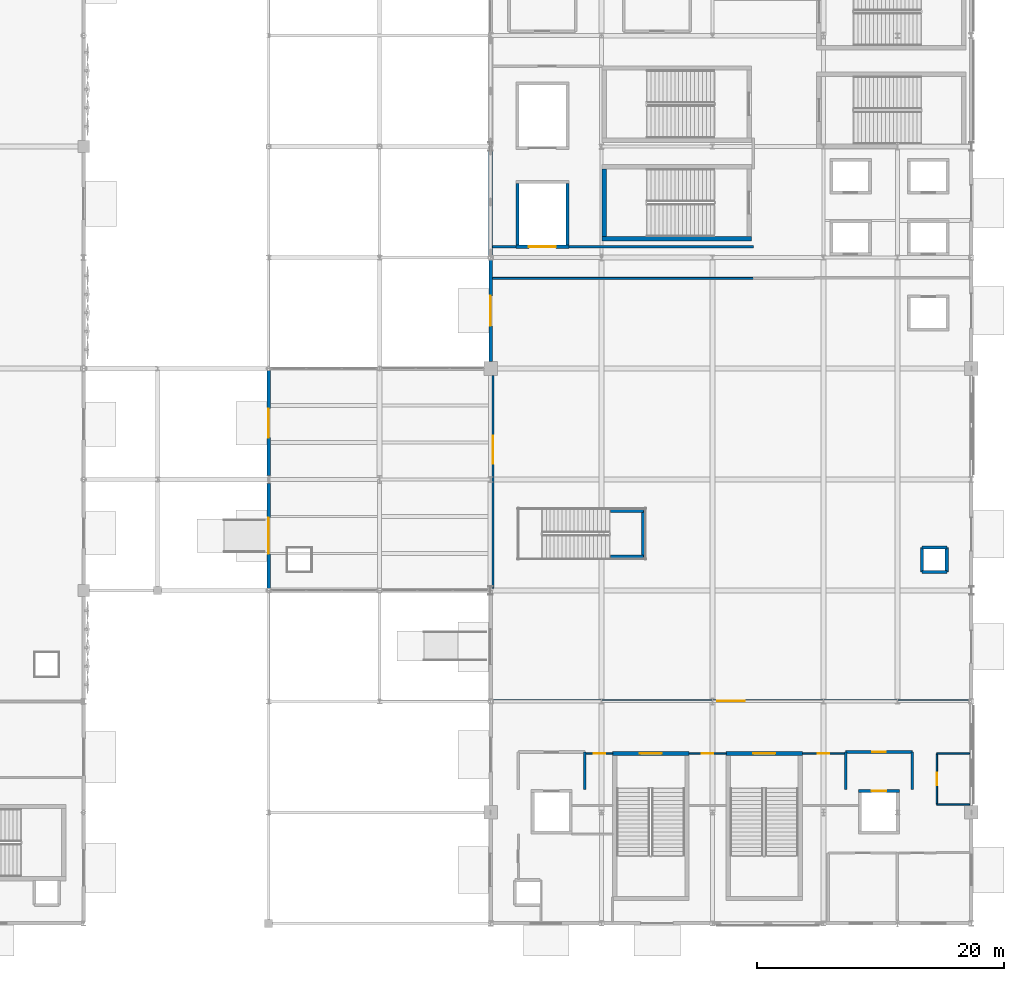
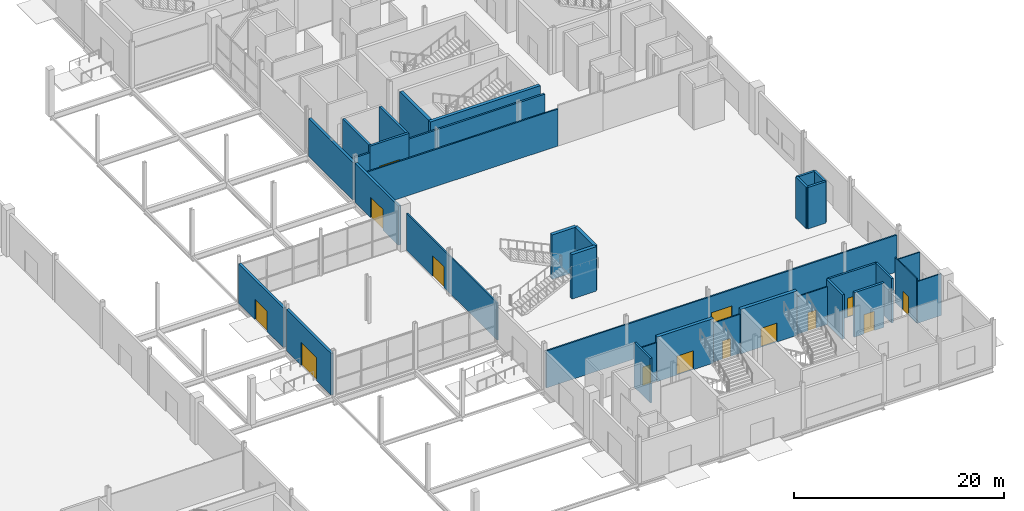
# One storey, part 59 of 94: 34 walls, 14 doors, 14 openings.
"""IFC4 building model written with IfcOpenShell, lengths in metres."""

import ifcopenshell
import ifcopenshell.guid

model = None  # the IFC model being written
_history = None  # IfcOwnerHistory: only IFC2X3 demands one
_inside = {}  # id of a spatial element -> (the spatial element, [elements in it])
_under = {}  # id of a project, library or spatial element -> (it, [spatial elements below it])
_declared = {}  # id of a project -> (the project, [libraries it declares])
_typed = {}  # id of a type object -> (the type object, [elements of that type])
_made_of = {}  # id of a material, layer set ... -> (it, [elements and type objects made of it])


def new_model(schema):
    """Start an empty IFC model of exactly this schema.

    Asked for "IFC4X3", IfcOpenShell would pick the latest addendum, in which some entities
    have other attributes; the version numbers below select the first issue.
    IFC2X3 requires an IfcOwnerHistory on every rooted entity: one is made here for all.
    """
    global model, _history
    if schema == "IFC4X3":
        model = ifcopenshell.file(schema_version=(4, 3, 0, 0))
    else:
        model = ifcopenshell.file(schema=schema)
    _inside.clear()
    _under.clear()
    _declared.clear()
    _typed.clear()
    _made_of.clear()
    _history = None
    if model.schema == "IFC2X3":
        org = make("IfcOrganization", Name="unknown")
        user = make(
            "IfcPersonAndOrganization",
            ThePerson=make("IfcPerson", FamilyName="unknown"),
            TheOrganization=org,
        )
        app = make(
            "IfcApplication",
            ApplicationDeveloper=org,
            Version="unknown",
            ApplicationFullName="unknown",
            ApplicationIdentifier="unknown",
        )
        _history = make(
            "IfcOwnerHistory",
            OwningUser=user,
            OwningApplication=app,
            ChangeAction="ADDED",
            CreationDate=0,
        )
    return model


def make(cls, **values):
    """One entity of the class cls with the attributes given. An attribute that is None is left unset."""
    return model.create_entity(
        cls, **{name: value for name, value in values.items() if value is not None}
    )


def rooted(cls, **values):
    """An entity with a GlobalId (a new one), such as an element, a storey or a relation."""
    return make(cls, GlobalId=ifcopenshell.guid.new(), OwnerHistory=_history, **values)


def si_unit(unit_type, name, prefix=None):
    """IfcSIUnit, for example si_unit("LENGTHUNIT", "METRE", prefix="MILLI")."""
    return make("IfcSIUnit", UnitType=unit_type, Prefix=prefix, Name=name)


def assignment(units):
    """IfcUnitAssignment: the units of a project."""
    return None if units is None else make("IfcUnitAssignment", Units=units)


def point(xyz):
    """IfcCartesianPoint."""
    return None if xyz is None else make("IfcCartesianPoint", Coordinates=xyz)


def direction(xyz):
    """IfcDirection."""
    return None if xyz is None else make("IfcDirection", DirectionRatios=xyz)


def frame(location, z_axis=None, x_axis=None):
    """IfcAxis2Placement3D, a coordinate frame: its origin and axes. An axis left out is left unset."""
    return make(
        "IfcAxis2Placement3D",
        Location=point(location),
        Axis=direction(z_axis),
        RefDirection=direction(x_axis),
    )


def frame_2d(location, x_axis=None):
    """IfcAxis2Placement2D, a coordinate frame in the plane: its origin and x axis."""
    return make(
        "IfcAxis2Placement2D", Location=point(location), RefDirection=direction(x_axis)
    )


def origin():
    """The frame at (0, 0, 0) with its axes left unset."""
    return frame((0.0, 0.0, 0.0))


def place(relative_to, where):
    """IfcLocalPlacement: puts the frame where relative to a parent placement (None: the world)."""
    return make(
        "IfcLocalPlacement", PlacementRelTo=relative_to, RelativePlacement=where
    )


def context(
    kind, dimensions, precision=None, world=None, true_north=None, identifier=None
):
    """IfcGeometricRepresentationContext, for example the 3D "Model" context."""
    return make(
        "IfcGeometricRepresentationContext",
        ContextIdentifier=identifier,
        ContextType=kind,
        CoordinateSpaceDimension=dimensions,
        Precision=precision,
        WorldCoordinateSystem=world,
        TrueNorth=true_north,
    )


def subcontext(parent, identifier, kind, view, scale=None):
    """IfcGeometricRepresentationSubContext, for example "Body" below "Model"."""
    return make(
        "IfcGeometricRepresentationSubContext",
        ContextIdentifier=identifier,
        ContextType=kind,
        ParentContext=parent,
        TargetScale=scale,
        TargetView=view,
    )


def project(units=None, contexts=None):
    """IfcProject with its units and contexts."""
    return rooted(
        "IfcProject",
        Name="project",
        RepresentationContexts=contexts,
        UnitsInContext=assignment(units),
    )


def spatial(cls, under=None, at=None, **own):
    """A site, building, storey or space (cls), placed at a placement, below another one or the project."""
    s = rooted(cls, ObjectPlacement=at, **own)
    if under is not None:
        _under.setdefault(under.id(), (under, []))[1].append(s)
    return s


def profile(cls, at=None, kind="AREA", **sizes):
    """A parametric profile (cls). Its sizes go by their IFC names, for example OverallWidth=200.0."""
    return make(cls, ProfileType=kind, Position=at, **sizes)


def rectangle(**sizes):
    """IfcRectangleProfileDef."""
    return profile("IfcRectangleProfileDef", **sizes)


def extrude(swept, where, along, depth):
    """IfcExtrudedAreaSolid: the profile swept, set in the frame where, extruded along a direction by depth."""
    return make(
        "IfcExtrudedAreaSolid",
        SweptArea=swept,
        Position=where,
        ExtrudedDirection=direction(along),
        Depth=depth,
    )


def shape(context_of_items, identifier, shape_type, items):
    """IfcShapeRepresentation: the items that make up one representation, for example the "Body"."""
    return make(
        "IfcShapeRepresentation",
        ContextOfItems=context_of_items,
        RepresentationIdentifier=identifier,
        RepresentationType=shape_type,
        Items=items,
    )


def material(Name=None, Category=None):
    """IfcMaterial."""
    return make("IfcMaterial", Name=Name, Category=Category)


def layer(
    of_material, thickness, ventilated=None, Name=None, Category=None, Priority=None
):
    """IfcMaterialLayer: one layer of a wall or slab, of a material (None: an air gap)."""
    return make(
        "IfcMaterialLayer",
        Material=of_material,
        LayerThickness=thickness,
        IsVentilated=ventilated,
        Name=Name,
        Category=Category,
        Priority=Priority,
    )


def layer_set(layers, Name=None):
    """IfcMaterialLayerSet."""
    return make("IfcMaterialLayerSet", MaterialLayers=layers, LayerSetName=Name)


def made_of(thing, what):
    """Note that an element or type object is made of a material, layer set ...; save() writes the relation."""
    if what is not None:
        _made_of.setdefault(what.id(), (what, []))[1].append(thing)
    return thing


def type_object(cls, material=None, **own):
    """A type object (cls), such as IfcWallType, which elements share."""
    return made_of(rooted(cls, **own), material)


def element(
    cls,
    number,
    at=None,
    inside=None,
    cuts=None,
    type_object=None,
    material=None,
    context=None,
    identifier="Body",
    shape_type=None,
    held_by="IfcProductDefinitionShape",
    body=None,
    shapes=None,
    **own,
):
    """One element of the class cls, such as IfcWall. Its Tag is "e" and its number.

    at: its placement. inside: the storey or other place that contains it. cuts: it is an
    opening in that element (IfcRelVoidsElement). A single representation is given by context,
    identifier, shape_type and body (its items); several are given by shapes. held_by: the class
    of the entity that holds the representations. save() writes the other relations.
    """
    e = rooted(cls, Tag="e%d" % number, ObjectPlacement=at, **own)
    if body is not None:
        shapes = [shape(context, identifier, shape_type, body)]
    if shapes is not None:
        e.Representation = make(held_by, Representations=shapes)
    if inside is not None:
        _inside.setdefault(inside.id(), (inside, []))[1].append(e)
    if cuts is not None:
        rooted(
            "IfcRelVoidsElement", RelatingBuildingElement=cuts, RelatedOpeningElement=e
        )
    if type_object is not None:
        _typed.setdefault(type_object.id(), (type_object, []))[1].append(e)
    return made_of(e, material)


def fill(opening, filler):
    """IfcRelFillsElement: the door or window that sits in an opening."""
    return rooted(
        "IfcRelFillsElement",
        RelatingOpeningElement=opening,
        RelatedBuildingElement=filler,
    )


def aggregate(whole, parts):
    """IfcRelAggregates: a whole, such as a stair, and the parts it consists of."""
    return rooted("IfcRelAggregates", RelatingObject=whole, RelatedObjects=parts)


def save(model, path):
    """Write the relations noted so far, then the file.

    IfcRelAggregates (storeys below a building ...), IfcRelContainedInSpatialStructure (elements
    in a storey), IfcRelDefinesByType, IfcRelAssociatesMaterial and IfcRelDeclares: one each for
    every whole, place, type object, material and project.
    """
    for whole, parts in _under.values():
        aggregate(whole, parts)
    for where, things in _inside.values():
        rooted(
            "IfcRelContainedInSpatialStructure",
            RelatedElements=things,
            RelatingStructure=where,
        )
    for kind, things in _typed.values():
        rooted("IfcRelDefinesByType", RelatedObjects=things, RelatingType=kind)
    for what, things in _made_of.values():
        rooted("IfcRelAssociatesMaterial", RelatedObjects=things, RelatingMaterial=what)
    for by, libraries in _declared.values():
        rooted("IfcRelDeclares", RelatingContext=by, RelatedDefinitions=libraries)
    model.write(path)


model = new_model("IFC4")

# Units and contexts
model_context = context("Model", 3, precision=1e-05, world=origin(), true_north=direction((0.0, 1.0)))
body_context = subcontext(model_context, "Body", "Model", "MODEL_VIEW")
ifc_project = project(units=[si_unit("LENGTHUNIT", "METRE"), si_unit("AREAUNIT", "SQUARE_METRE"), si_unit("VOLUMEUNIT", "CUBIC_METRE"), si_unit("PLANEANGLEUNIT", "RADIAN"), si_unit("MASSUNIT", "GRAM", prefix="KILO")], contexts=[model_context])

# Site, building, storey
site_placement = place(None, origin())
site = spatial("IfcSite", under=ifc_project, at=site_placement, CompositionType="ELEMENT")
building_placement = place(site_placement, origin())
building = spatial("IfcBuilding", under=site, at=building_placement, Name="Qamarlyn Nura Convention Centre", CompositionType="ELEMENT")
storey_placement = place(building_placement, origin())
storey = spatial("IfcBuildingStorey", under=building, at=storey_placement, Name="L00", CompositionType="ELEMENT", Elevation=0.0)

# Wall
ifc_material_1 = material(Name="Fire-rated acoustic gypsum board and mineral wool EI 120")
ifc_layer_1 = layer(ifc_material_1, 0.219970703125, Name="WT-COMP-220")
ifc_layer_set_1 = layer_set([ifc_layer_1], Name="Fire-rated acoustic gypsum board and mineral wool EI 120")
wall_type_1 = type_object("IfcWallType", Name="WT-COMP-220", PredefinedType="SOLIDWALL", material=ifc_layer_set_1)
wall_1_placement = place(storey_placement, frame((160.64990234375, 10.85009765625, 0.0), z_axis=(0.0, 0.0, 1.0), x_axis=(0.0, 1.0, 0.0)))
element("IfcWall", 1, at=wall_1_placement, inside=storey, type_object=wall_type_1, Name="L00 firefighting lobby barrier wall FFL-01-E", PredefinedType="SOLIDWALL", context=body_context, shape_type="SweptSolid", body=[
    extrude(rectangle(XDim=3.0498046875, YDim=0.219970703125, at=frame_2d((1.52490234375, 0.0))), origin(), (0.0, 0.0, 1.0), 5.179931640625),
])

# Wall, opening, door
wall_2_placement = place(storey_placement, frame((181.800048828125, 13.89990234375, 0.0), z_axis=(0.0, 0.0, 1.0), x_axis=(1.0, 0.0, 0.0)))
wall_2 = element("IfcWall", 2, at=wall_2_placement, inside=storey, type_object=wall_type_1, Name="L00 firefighting lobby barrier wall FFL-02-OPP", PredefinedType="SOLIDWALL", context=body_context, shape_type="SweptSolid", body=[
    extrude(rectangle(XDim=5.39990234375, YDim=0.219970703125, at=frame_2d((2.699951171875, 0.0))), origin(), (0.0, 0.0, 1.0), 5.179931640625),
])
opening_1_placement = place(wall_2_placement, frame((2.139892578125, 0.0, 0.0)))
opening_1 = element("IfcOpeningElement", 3, at=opening_1_placement, cuts=wall_2, Name="Opening DF-111", PredefinedType="OPENING", context=body_context, shape_type="SweptSolid", body=[
    extrude(rectangle(XDim=1.1201171875, YDim=2.199951171875, at=frame_2d((0.56005859375, 1.10009765625))), frame((0.0, 0.1201171875, 0.0), z_axis=(0.0, -1.0, 0.0), x_axis=(1.0, 0.0, 0.0)), (0.0, 0.0, 1.0), 0.239990234375),
])
ifc_material_2 = material(Name="Galvanised fire-rated hollow steel door", Category="steel")
door_type_1 = type_object("IfcDoorType", Name="DR-FFL-1120", OperationType="NOTDEFINED", PredefinedType="DOOR", material=ifc_material_2)
door_1_placement = place(opening_1_placement, origin())
door_1 = element("IfcDoor", 4, at=door_1_placement, inside=storey, type_object=door_type_1, Name="L00 firefighting lobby door FFL-02 (DF-111)", OperationType="SINGLE_SWING_LEFT", OverallHeight=2.199951171875, OverallWidth=1.1201171875, PredefinedType="DOOR", context=body_context, shape_type="SweptSolid", body=[
    extrude(rectangle(XDim=1.1201171875, YDim=2.199951171875, at=frame_2d((0.56005859375, 1.10009765625))), frame((0.0, 0.02490234375, 0.0), z_axis=(0.0, -1.0, 0.0), x_axis=(1.0, 0.0, 0.0)), (0.0, 0.0, 1.0), 0.050048828125),
])
fill(opening_1, door_1)

# Walls
for number, where, z_axis, x_axis, name in (
    (5, (181.800048828125, 10.85009765625, 0.0), (0.0, 0.0, 1.0), (0.0, 1.0, 0.0), "L00 firefighting lobby barrier wall FFL-02-W"),
    (6, (187.199951171875, 10.85009765625, 0.0), (0.0, 0.0, 1.0), (0.0, 1.0, 0.0), "L00 firefighting lobby barrier wall FFL-02-E"),
):
    element("IfcWall", number, at=place(storey_placement, frame(where, z_axis=z_axis, x_axis=x_axis)), inside=storey, type_object=wall_type_1, Name=name, PredefinedType="SOLIDWALL", context=body_context, shape_type="SweptSolid", body=[
        extrude(rectangle(XDim=3.0498046875, YDim=0.219970703125, at=frame_2d((1.52490234375, 0.0))), origin(), (0.0, 0.0, 1.0), 5.179931640625),
    ])

# Wall, opening, door
ifc_material_3 = material(Name="Concrete C50/60", Category="concrete")
ifc_layer_2 = layer(ifc_material_3, 0.35009765625, Name="WT-CORE-350")
ifc_layer_set_2 = layer_set([ifc_layer_2], Name="Concrete C50/60")
wall_type_2 = type_object("IfcWallType", Name="WT-CORE-350", PredefinedType="SHEAR", material=ifc_layer_set_2)
wall_3_placement = place(storey_placement, frame((169.10009765625, 13.77490234375, 0.0), z_axis=(0.0, 0.0, 1.0), x_axis=(-1.0, 0.0, 0.0)))
wall_3 = element("IfcWall", 7, at=wall_3_placement, inside=storey, type_object=wall_type_2, Name="L00 stair core shear wall ST-09-N", PredefinedType="SHEAR", context=body_context, shape_type="SweptSolid", body=[
    extrude(rectangle(XDim=6.2001953125, YDim=0.35009765625, at=frame_2d((3.10009765625, 0.0))), origin(), (0.0, 0.0, 1.0), 5.179931640625),
])
opening_2_placement = place(wall_3_placement, frame((2.199951171875, 0.0, 0.0)))
opening_2 = element("IfcOpeningElement", 8, at=opening_2_placement, cuts=wall_3, Name="Opening DS-030", PredefinedType="OPENING", context=body_context, shape_type="SweptSolid", body=[
    extrude(rectangle(XDim=1.800048828125, YDim=2.199951171875, at=frame_2d((0.89990234375, 1.10009765625))), frame((0.0, 0.18505859375, 0.0), z_axis=(0.0, -1.0, 0.0), x_axis=(1.0, 0.0, 0.0)), (0.0, 0.0, 1.0), 0.3701171875),
])
door_type_2 = type_object("IfcDoorType", Name="DR-STAIR-1800", OperationType="DOUBLE_DOOR_SINGLE_SWING", PredefinedType="DOOR", material=ifc_material_2)
door_2_placement = place(opening_2_placement, origin())
door_2 = element("IfcDoor", 9, at=door_2_placement, inside=storey, type_object=door_type_2, Name="L00 exit stair door ST-09 (DS-030)", OperationType="DOUBLE_DOOR_SINGLE_SWING", OverallHeight=2.199951171875, OverallWidth=1.800048828125, PredefinedType="DOOR", context=body_context, shape_type="SweptSolid", body=[
    extrude(rectangle(XDim=1.800048828125, YDim=2.199951171875, at=frame_2d((0.89990234375, 1.10009765625))), frame((0.0, 0.02490234375, 0.0), z_axis=(0.0, -1.0, 0.0), x_axis=(1.0, 0.0, 0.0)), (0.0, 0.0, 1.0), 0.050048828125),
])
fill(opening_2, door_2)

wall_4_placement = place(storey_placement, frame((178.300048828125, 13.77490234375, 0.0), z_axis=(0.0, 0.0, 1.0), x_axis=(-1.0, 0.0, 0.0)))
wall_4 = element("IfcWall", 10, at=wall_4_placement, inside=storey, type_object=wall_type_2, Name="L00 stair core shear wall ST-10-N", PredefinedType="SHEAR", context=body_context, shape_type="SweptSolid", body=[
    extrude(rectangle(XDim=6.199951171875, YDim=0.35009765625, at=frame_2d((3.10009765625, 0.0))), origin(), (0.0, 0.0, 1.0), 5.179931640625),
])
opening_3_placement = place(wall_4_placement, frame((2.199951171875, 0.0, 0.0)))
opening_3 = element("IfcOpeningElement", 11, at=opening_3_placement, cuts=wall_4, Name="Opening DS-037", PredefinedType="OPENING", context=body_context, shape_type="SweptSolid", body=[
    extrude(rectangle(XDim=1.800048828125, YDim=2.199951171875, at=frame_2d((0.89990234375, 1.10009765625))), frame((0.0, 0.18505859375, 0.0), z_axis=(0.0, -1.0, 0.0), x_axis=(1.0, 0.0, 0.0)), (0.0, 0.0, 1.0), 0.3701171875),
])
door_3_placement = place(opening_3_placement, origin())
door_3 = element("IfcDoor", 12, at=door_3_placement, inside=storey, type_object=door_type_2, Name="L00 exit stair door ST-10 (DS-037)", OperationType="DOUBLE_DOOR_SINGLE_SWING", OverallHeight=2.199951171875, OverallWidth=1.800048828125, PredefinedType="DOOR", context=body_context, shape_type="SweptSolid", body=[
    extrude(rectangle(XDim=1.800048828125, YDim=2.199951171875, at=frame_2d((0.89990234375, 1.10009765625))), frame((0.0, 0.02490234375, 0.0), z_axis=(0.0, -1.0, 0.0), x_axis=(1.0, 0.0, 0.0)), (0.0, 0.0, 1.0), 0.050048828125),
])
fill(opening_3, door_3)

# Walls
wall_5_placement = place(storey_placement, frame((162.050048828125, 55.52490234375, 0.0), z_axis=(0.0, 0.0, 1.0), x_axis=(1.0, 0.0, 0.0)))
element("IfcWall", 13, at=wall_5_placement, inside=storey, type_object=wall_type_2, Name="L00 stair core shear wall ST-11-S", PredefinedType="SHEAR", context=body_context, shape_type="SweptSolid", body=[
    extrude(rectangle(XDim=12.099853515625, YDim=0.35009765625, at=frame_2d((6.0498046875, 0.0))), origin(), (0.0, 0.0, 1.0), 5.179931640625),
])
wall_6_placement = place(storey_placement, frame((162.22509765625, 61.199951171875, 0.0), z_axis=(0.0, 0.0, 1.0), x_axis=(0.0, -1.0, 0.0)))
element("IfcWall", 14, at=wall_6_placement, inside=storey, type_object=wall_type_2, Name="L00 stair core shear wall ST-11-W", PredefinedType="SHEAR", context=body_context, shape_type="SweptSolid", body=[
    extrude(rectangle(XDim=5.5, YDim=0.35009765625, at=frame_2d((2.75, 0.0))), origin(), (0.0, 0.0, 1.0), 5.179931640625),
])
for number, where, z_axis, x_axis, name in (
    (15, (162.719970703125, 29.699951171875, 0.0), (0.0, 0.0, 1.0), (1.0, 0.0, 0.0), "L00 feature stair support fin wall ST-20-1"),
    (16, (162.719970703125, 33.47998046875, 0.0), (0.0, 0.0, 1.0), (1.0, 0.0, 0.0), "L00 feature stair support fin wall ST-20-2"),
):
    element("IfcWall", number, at=place(storey_placement, frame(where, z_axis=z_axis, x_axis=x_axis)), inside=storey, type_object=wall_type_2, Name=name, PredefinedType="SHEAR", context=body_context, shape_type="SweptSolid", body=[
        extrude(rectangle(XDim=2.699951171875, YDim=0.35009765625, at=frame_2d((1.35009765625, 0.0))), origin(), (0.0, 0.0, 1.0), 5.179931640625),
    ])
wall_7_placement = place(storey_placement, frame((165.419921875, 29.699951171875, 0.0), z_axis=(0.0, 0.0, 1.0), x_axis=(0.0, 1.0, 0.0)))
element("IfcWall", 17, at=wall_7_placement, inside=storey, type_object=wall_type_2, Name="L00 feature stair support fin wall ST-20-3", PredefinedType="SHEAR", context=body_context, shape_type="SweptSolid", body=[
    extrude(rectangle(XDim=3.780029296875, YDim=0.35009765625, at=frame_2d((1.89013671875, 0.0))), origin(), (0.0, 0.0, 1.0), 5.179931640625),
])

# Wall, opening, door
ifc_material_4 = material(Name="Concrete C40/50", Category="concrete")
ifc_layer_3 = layer(ifc_material_4, 0.280029296875, Name="WT-EXT-280")
ifc_layer_set_3 = layer_set([ifc_layer_3], Name="Concrete C40/50")
wall_type_3 = type_object("IfcWallType", Name="WT-EXT-280", PredefinedType="SOLIDWALL", material=ifc_layer_set_3)
wall_8_placement = place(storey_placement, frame((135.0, 27.175048828125, 0.0), z_axis=(0.0, 0.0, 1.0), x_axis=(0.0, 1.0, 0.0)))
wall_8 = element("IfcWall", 18, at=wall_8_placement, inside=storey, type_object=wall_type_3, Name="L00 exterior facade wall WEXT-L00-1350-272-1350-357", PredefinedType="SOLIDWALL", context=body_context, shape_type="SweptSolid", body=[
    extrude(rectangle(XDim=8.51953125, YDim=0.280029296875, at=frame_2d((4.259765625, 0.0))), origin(), (0.0, 0.0, 1.0), 4.844970703125),
])
opening_4_placement = place(wall_8_placement, frame((2.78466796875, 0.0, 0.0)))
opening_4 = element("IfcOpeningElement", 19, at=opening_4_placement, cuts=wall_8, Name="Opening E-48", PredefinedType="OPENING", context=body_context, shape_type="SweptSolid", body=[
    extrude(rectangle(XDim=2.949951171875, YDim=2.679931640625, at=frame_2d((1.47509765625, 1.33984375))), frame((0.0, 0.14990234375, 0.0), z_axis=(0.0, -1.0, 0.0), x_axis=(1.0, 0.0, 0.0)), (0.0, 0.0, 1.0), 0.300048828125),
])
ifc_material_5 = material(Name="Champagne-anodised marine aluminium", Category="aluminium")
door_type_3 = type_object("IfcDoorType", Name="DR-MAIN-2950", OperationType="DOUBLE_DOOR_SINGLE_SWING", PredefinedType="DOOR", material=ifc_material_5)
door_4_placement = place(opening_4_placement, origin())
door_4 = element("IfcDoor", 20, at=door_4_placement, inside=storey, type_object=door_type_3, Name="Final exit E-48", OperationType="DOUBLE_DOOR_SINGLE_SWING", OverallHeight=2.679931640625, OverallWidth=2.949951171875, PredefinedType="DOOR", context=body_context, shape_type="SweptSolid", body=[
    extrude(rectangle(XDim=2.949951171875, YDim=2.679931640625, at=frame_2d((1.47509765625, 1.33984375))), frame((0.0, 0.02490234375, 0.0), z_axis=(0.0, -1.0, 0.0), x_axis=(1.0, 0.0, 0.0)), (0.0, 0.0, 1.0), 0.050048828125),
])
fill(opening_4, door_4)

wall_9_placement = place(storey_placement, frame((135.0, 36.305419921875, 0.0), z_axis=(0.0, 0.0, 1.0), x_axis=(0.0, 1.0, 0.0)))
wall_9 = element("IfcWall", 21, at=wall_9_placement, inside=storey, type_object=wall_type_3, Name="L00 exterior facade wall WEXT-L00-1350-363-1350-448", PredefinedType="SOLIDWALL", context=body_context, shape_type="SweptSolid", body=[
    extrude(rectangle(XDim=8.516845703125, YDim=0.280029296875, at=frame_2d((4.25830078125, 0.0))), origin(), (0.0, 0.0, 1.0), 4.60595703125),
])
opening_5_placement = place(wall_9_placement, frame((3.083251953125, 0.0, 0.0)))
opening_5 = element("IfcOpeningElement", 22, at=opening_5_placement, cuts=wall_9, Name="Opening E-49", PredefinedType="OPENING", context=body_context, shape_type="SweptSolid", body=[
    extrude(rectangle(XDim=2.35009765625, YDim=2.3798828125, at=frame_2d((1.175048828125, 1.18994140625))), frame((0.0, 0.14990234375, 0.0), z_axis=(0.0, -1.0, 0.0), x_axis=(1.0, 0.0, 0.0)), (0.0, 0.0, 1.0), 0.300048828125),
])
door_type_4 = type_object("IfcDoorType", Name="DR-EXIT-2350", OperationType="DOUBLE_DOOR_SINGLE_SWING", PredefinedType="DOOR", material=ifc_material_5)
door_5_placement = place(opening_5_placement, origin())
door_5 = element("IfcDoor", 23, at=door_5_placement, inside=storey, type_object=door_type_4, Name="Final exit E-49", OperationType="DOUBLE_DOOR_SINGLE_SWING", OverallHeight=2.3798828125, OverallWidth=2.35009765625, PredefinedType="DOOR", context=body_context, shape_type="SweptSolid", body=[
    extrude(rectangle(XDim=2.35009765625, YDim=2.3798828125, at=frame_2d((1.175048828125, 1.18994140625))), frame((0.0, 0.02490234375, 0.0), z_axis=(0.0, -1.0, 0.0), x_axis=(1.0, 0.0, 0.0)), (0.0, 0.0, 1.0), 0.050048828125),
])
fill(opening_5, door_5)

wall_10_placement = place(storey_placement, frame((153.0, 45.550048828125, 0.0), z_axis=(0.0, 0.0, 1.0), x_axis=(0.0, 1.0, 0.0)))
wall_10 = element("IfcWall", 24, at=wall_10_placement, inside=storey, type_object=wall_type_3, Name="L00 exterior facade wall WEXT-L00-1530-456-1530-538", PredefinedType="SOLIDWALL", context=body_context, shape_type="SweptSolid", body=[
    extrude(rectangle(XDim=8.25, YDim=0.280029296875, at=frame_2d((4.125, 0.0))), origin(), (0.0, 0.0, 1.0), 4.553955078125),
])
opening_6_placement = place(wall_10_placement, frame((2.9150390625, 0.0, 0.0)))
opening_6 = element("IfcOpeningElement", 25, at=opening_6_placement, cuts=wall_10, Name="Opening E-50", PredefinedType="OPENING", context=body_context, shape_type="SweptSolid", body=[
    extrude(rectangle(XDim=2.419921875, YDim=2.39990234375, at=frame_2d((1.2099609375, 1.199951171875))), frame((0.0, 0.14990234375, 0.0), z_axis=(0.0, -1.0, 0.0), x_axis=(1.0, 0.0, 0.0)), (0.0, 0.0, 1.0), 0.300048828125),
])
door_type_5 = type_object("IfcDoorType", Name="DR-EXIT-2420", OperationType="DOUBLE_DOOR_SINGLE_SWING", PredefinedType="DOOR", material=ifc_material_5)
door_6_placement = place(opening_6_placement, origin())
door_6 = element("IfcDoor", 26, at=door_6_placement, inside=storey, type_object=door_type_5, Name="Final exit E-50", OperationType="DOUBLE_DOOR_SINGLE_SWING", OverallHeight=2.39990234375, OverallWidth=2.419921875, PredefinedType="DOOR", context=body_context, shape_type="SweptSolid", body=[
    extrude(rectangle(XDim=2.419921875, YDim=2.39990234375, at=frame_2d((1.2099609375, 1.199951171875))), frame((0.0, 0.02490234375, 0.0), z_axis=(0.0, -1.0, 0.0), x_axis=(1.0, 0.0, 0.0)), (0.0, 0.0, 1.0), 0.050048828125),
])
fill(opening_6, door_6)

# Wall
ifc_material_6 = material(Name="Concrete C40/50 with UAE coastal limestone stone facing", Category="masonry")
ifc_layer_4 = layer(ifc_material_6, 0.300048828125, Name="WT-LIME-300")
ifc_layer_set_4 = layer_set([ifc_layer_4], Name="Concrete C40/50 with UAE coastal limestone stone facing")
wall_type_4 = type_object("IfcWallType", Name="WT-LIME-300", PredefinedType="SOLIDWALL", material=ifc_layer_set_4)
wall_11_placement = place(storey_placement, frame((153.0, 54.199951171875, 0.0), z_axis=(0.0, 0.0, 1.0), x_axis=(0.0, 1.0, 0.0)))
element("IfcWall", 27, at=wall_11_placement, inside=storey, type_object=wall_type_4, Name="L00 exterior facade wall WEXT-L00-1530-542-1530-627", PredefinedType="SOLIDWALL", context=body_context, shape_type="SweptSolid", body=[
    extrude(rectangle(XDim=8.45263671875, YDim=0.300048828125, at=frame_2d((4.226318359375, 0.0))), origin(), (0.0, 0.0, 1.0), 4.39208984375),
])

# Wall, opening, door
ifc_material_7 = material(Name="Acoustic double-stud gypsum partition")
ifc_layer_5 = layer(ifc_material_7, 0.1201171875, Name="WT-PART-120")
ifc_layer_set_5 = layer_set([ifc_layer_5], Name="Acoustic double-stud gypsum partition")
wall_type_5 = type_object("IfcWallType", Name="WT-PART-120", PredefinedType="PARTITIONING", material=ifc_layer_set_5)
wall_12_placement = place(storey_placement, frame((160.760009765625, 13.77490234375, 0.0), z_axis=(0.0, 0.0, 1.0), x_axis=(1.0, 0.0, 0.0)))
wall_12 = element("IfcWall", 28, at=wall_12_placement, inside=storey, type_object=wall_type_5, Name="L00 interior partition L00-WC-M-L00-18-1", PredefinedType="PARTITIONING", context=body_context, shape_type="SweptSolid", body=[
    extrude(rectangle(XDim=2.139892578125, YDim=0.1201171875, at=frame_2d((1.06982421875, 0.0))), origin(), (0.0, 0.0, 1.0), 4.469970703125),
])
opening_7_placement = place(wall_12_placement, frame((0.610107421875, 0.0, 0.0)))
opening_7 = element("IfcOpeningElement", 29, at=opening_7_placement, cuts=wall_12, Name="Opening D-L00-140", PredefinedType="OPENING", context=body_context, shape_type="SweptSolid", body=[
    extrude(rectangle(XDim=0.919921875, YDim=2.1201171875, at=frame_2d((0.4599609375, 1.06005859375))), frame((0.0, 0.070068359375, 0.0), z_axis=(0.0, -1.0, 0.0), x_axis=(1.0, 0.0, 0.0)), (0.0, 0.0, 1.0), 0.14013671875),
])
ifc_material_8 = material(Name="Acoustic walnut timber leaf", Category="wood")
door_type_6 = type_object("IfcDoorType", Name="DR-WC-STD-092", OperationType="NOTDEFINED", PredefinedType="DOOR", material=ifc_material_8)
door_7_placement = place(opening_7_placement, origin())
door_7 = element("IfcDoor", 30, at=door_7_placement, inside=storey, type_object=door_type_6, Name="L00 Male WC L00 door D-L00-140", OperationType="SINGLE_SWING_RIGHT", OverallHeight=2.1201171875, OverallWidth=0.919921875, PredefinedType="DOOR", context=body_context, shape_type="SweptSolid", body=[
    extrude(rectangle(XDim=0.919921875, YDim=2.1201171875, at=frame_2d((0.4599609375, 1.06005859375))), frame((0.0, 0.02490234375, 0.0), z_axis=(0.0, -1.0, 0.0), x_axis=(1.0, 0.0, 0.0)), (0.0, 0.0, 1.0), 0.050048828125),
])
fill(opening_7, door_7)

wall_13_placement = place(storey_placement, frame((169.10009765625, 13.77490234375, 0.0), z_axis=(0.0, 0.0, 1.0), x_axis=(1.0, 0.0, 0.0)))
wall_13 = element("IfcWall", 31, at=wall_13_placement, inside=storey, type_object=wall_type_5, Name="L00 interior partition L00-WC-S-L00-1-1", PredefinedType="PARTITIONING", context=body_context, shape_type="SweptSolid", body=[
    extrude(rectangle(XDim=3.0, YDim=0.1201171875, at=frame_2d((1.5, 0.0))), origin(), (0.0, 0.0, 1.0), 4.553955078125),
])
opening_8_placement = place(wall_13_placement, frame((1.044921875, 0.0, 0.0)))
opening_8 = element("IfcOpeningElement", 32, at=opening_8_placement, cuts=wall_13, Name="Opening D-L00-141", PredefinedType="OPENING", context=body_context, shape_type="SweptSolid", body=[
    extrude(rectangle(XDim=0.909912109375, YDim=2.1201171875, at=frame_2d((0.455078125, 1.06005859375))), frame((0.0, 0.070068359375, 0.0), z_axis=(0.0, -1.0, 0.0), x_axis=(1.0, 0.0, 0.0)), (0.0, 0.0, 1.0), 0.14013671875),
])
door_type_7 = type_object("IfcDoorType", Name="DR-WC-STF-091", OperationType="NOTDEFINED", PredefinedType="DOOR", material=ifc_material_8)
door_8_placement = place(opening_8_placement, origin())
door_8 = element("IfcDoor", 33, at=door_8_placement, inside=storey, type_object=door_type_7, Name="L00 Staff WC L00 door D-L00-141", OperationType="SINGLE_SWING_LEFT", OverallHeight=2.1201171875, OverallWidth=0.909912109375, PredefinedType="DOOR", context=body_context, shape_type="SweptSolid", body=[
    extrude(rectangle(XDim=0.909912109375, YDim=2.1201171875, at=frame_2d((0.455078125, 1.06005859375))), frame((0.0, 0.02490234375, 0.0), z_axis=(0.0, -1.0, 0.0), x_axis=(1.0, 0.0, 0.0)), (0.0, 0.0, 1.0), 0.050048828125),
])
fill(opening_8, door_8)

wall_14_placement = place(storey_placement, frame((178.300048828125, 13.77490234375, 0.0), z_axis=(0.0, 0.0, 1.0), x_axis=(1.0, 0.0, 0.0)))
wall_14 = element("IfcWall", 34, at=wall_14_placement, inside=storey, type_object=wall_type_5, Name="L00 interior partition L00-WC-F-L00-1-1", PredefinedType="PARTITIONING", context=body_context, shape_type="SweptSolid", body=[
    extrude(rectangle(XDim=3.389892578125, YDim=0.1201171875, at=frame_2d((1.69482421875, 0.0))), origin(), (0.0, 0.0, 1.0), 4.39208984375),
])
opening_9_placement = place(wall_14_placement, frame((1.235107421875, 0.0, 0.0)))
opening_9 = element("IfcOpeningElement", 35, at=opening_9_placement, cuts=wall_14, Name="Opening D-L00-142", PredefinedType="OPENING", context=body_context, shape_type="SweptSolid", body=[
    extrude(rectangle(XDim=0.919921875, YDim=2.1201171875, at=frame_2d((0.4599609375, 1.06005859375))), frame((0.0, 0.070068359375, 0.0), z_axis=(0.0, -1.0, 0.0), x_axis=(1.0, 0.0, 0.0)), (0.0, 0.0, 1.0), 0.14013671875),
])
door_9_placement = place(opening_9_placement, origin())
door_9 = element("IfcDoor", 36, at=door_9_placement, inside=storey, type_object=door_type_6, Name="L00 Female WC L00 door D-L00-142", OperationType="SINGLE_SWING_RIGHT", OverallHeight=2.1201171875, OverallWidth=0.919921875, PredefinedType="DOOR", context=body_context, shape_type="SweptSolid", body=[
    extrude(rectangle(XDim=0.919921875, YDim=2.1201171875, at=frame_2d((0.4599609375, 1.06005859375))), frame((0.0, 0.02490234375, 0.0), z_axis=(0.0, -1.0, 0.0), x_axis=(1.0, 0.0, 0.0)), (0.0, 0.0, 1.0), 0.050048828125),
])
fill(opening_9, door_9)

# Walls
for number, where, z_axis, x_axis, name in (
    (37, (189.199951171875, 13.77490234375, 0.0), (0.0, 0.0, 1.0), (1.0, 0.0, 0.0), "L00 interior partition L00-WC-A-L00-1-1"),
    (38, (191.860107421875, 9.64990234375, 0.0), (0.0, 0.0, 1.0), (-1.0, 0.0, 0.0), "L00 interior partition L00-WC-A-L00-3-1"),
):
    element("IfcWall", number, at=place(storey_placement, frame(where, z_axis=z_axis, x_axis=x_axis)), inside=storey, type_object=wall_type_5, Name=name, PredefinedType="PARTITIONING", context=body_context, shape_type="SweptSolid", body=[
        extrude(rectangle(XDim=2.66015625, YDim=0.1201171875, at=frame_2d((1.330078125, 0.0))), origin(), (0.0, 0.0, 1.0), 4.864990234375),
    ])

# Wall, opening, door
wall_15_placement = place(storey_placement, frame((189.199951171875, 9.64990234375, 0.0), z_axis=(0.0, 0.0, 1.0), x_axis=(0.0, 1.0, 0.0)))
wall_15 = element("IfcWall", 39, at=wall_15_placement, inside=storey, type_object=wall_type_5, Name="L00 interior partition L00-WC-A-L00-4-1", PredefinedType="PARTITIONING", context=body_context, shape_type="SweptSolid", body=[
    extrude(rectangle(XDim=4.125, YDim=0.1201171875, at=frame_2d((2.0625, 0.0))), origin(), (0.0, 0.0, 1.0), 5.179931640625),
])
opening_10_placement = place(wall_15_placement, frame((1.552490234375, 0.0, 0.0)))
opening_10 = element("IfcOpeningElement", 40, at=opening_10_placement, cuts=wall_15, Name="Opening D-L00-143", PredefinedType="OPENING", context=body_context, shape_type="SweptSolid", body=[
    extrude(rectangle(XDim=1.02001953125, YDim=2.159912109375, at=frame_2d((0.510009765625, 1.080078125))), frame((0.0, 0.070068359375, 0.0), z_axis=(0.0, -1.0, 0.0), x_axis=(1.0, 0.0, 0.0)), (0.0, 0.0, 1.0), 0.14013671875),
])
door_type_8 = type_object("IfcDoorType", Name="DR-WC-ACC-102", OperationType="NOTDEFINED", PredefinedType="DOOR", material=ifc_material_8)
door_10_placement = place(opening_10_placement, origin())
door_10 = element("IfcDoor", 41, at=door_10_placement, inside=storey, type_object=door_type_8, Name="L00 Accessible WC L00 door D-L00-143", OperationType="SINGLE_SWING_LEFT", OverallHeight=2.159912109375, OverallWidth=1.02001953125, PredefinedType="DOOR", context=body_context, shape_type="SweptSolid", body=[
    extrude(rectangle(XDim=1.02001953125, YDim=2.159912109375, at=frame_2d((0.510009765625, 1.080078125))), frame((0.0, 0.02490234375, 0.0), z_axis=(0.0, -1.0, 0.0), x_axis=(1.0, 0.0, 0.0)), (0.0, 0.0, 1.0), 0.050048828125),
])
fill(opening_10, door_10)

ifc_material_9 = material(Name="Fire-rated acoustic gypsum board EI 60")
ifc_layer_6 = layer(ifc_material_9, 0.159912109375, Name="WT-PART-160")
ifc_layer_set_6 = layer_set([ifc_layer_6], Name="Fire-rated acoustic gypsum board EI 60")
wall_type_6 = type_object("IfcWallType", Name="WT-PART-160", PredefinedType="PARTITIONING", material=ifc_layer_set_6)
wall_16_placement = place(storey_placement, frame((153.199951171875, 44.43994140625, 0.0), z_axis=(0.0, 0.0, 1.0), x_axis=(0.0, -1.0, 0.0)))
wall_16 = element("IfcWall", 42, at=wall_16_placement, inside=storey, type_object=wall_type_6, Name="L00 interior partition L00-REG-WEST-2-1", PredefinedType="PARTITIONING", context=body_context, shape_type="SweptSolid", body=[
    extrude(rectangle(XDim=17.239990234375, YDim=0.159912109375, at=frame_2d((8.6201171875, 0.0))), origin(), (0.0, 0.0, 1.0), 4.31005859375),
])
opening_11_placement = place(wall_16_placement, frame((4.908935546875, 0.0, 0.0)))
opening_11 = element("IfcOpeningElement", 43, at=opening_11_placement, cuts=wall_16, Name="Opening D-L00-150", PredefinedType="OPENING", context=body_context, shape_type="SweptSolid", body=[
    extrude(rectangle(XDim=2.25, YDim=2.39990234375, at=frame_2d((1.125, 1.199951171875))), frame((0.0, 0.08984375, 0.0), z_axis=(0.0, -1.0, 0.0), x_axis=(1.0, 0.0, 0.0)), (0.0, 0.0, 1.0), 0.179931640625),
])
door_type_9 = type_object("IfcDoorType", Name="DR-HALL-2250", OperationType="DOUBLE_DOOR_SINGLE_SWING", PredefinedType="DOOR", material=ifc_material_8)
door_11_placement = place(opening_11_placement, origin())
door_11 = element("IfcDoor", 44, at=door_11_placement, inside=storey, type_object=door_type_9, Name="L00 West Registration Concourse door D-L00-150", OperationType="DOUBLE_DOOR_SINGLE_SWING", OverallHeight=2.39990234375, OverallWidth=2.25, PredefinedType="DOOR", context=body_context, shape_type="SweptSolid", body=[
    extrude(rectangle(XDim=2.25, YDim=2.39990234375, at=frame_2d((1.125, 1.199951171875))), frame((0.0, 0.02490234375, 0.0), z_axis=(0.0, -1.0, 0.0), x_axis=(1.0, 0.0, 0.0)), (0.0, 0.0, 1.0), 0.050048828125),
])
fill(opening_11, door_11)

# Wall
wall_17_placement = place(storey_placement, frame((153.139892578125, 52.31005859375, 0.0), z_axis=(0.0, 0.0, 1.0), x_axis=(1.0, 0.0, 0.0)))
element("IfcWall", 45, at=wall_17_placement, inside=storey, type_object=wall_type_6, Name="L00 interior partition L00-REG-CONC-35-1", PredefinedType="PARTITIONING", context=body_context, shape_type="SweptSolid", body=[
    extrude(rectangle(XDim=21.170166015625, YDim=0.159912109375, at=frame_2d((10.5849609375, 0.0))), origin(), (0.0, 0.0, 1.0), 4.31005859375),
])

# Wall, opening, door
wall_18_placement = place(storey_placement, frame((191.7900390625, 18.0400390625, 0.0), z_axis=(0.0, 0.0, 1.0), x_axis=(-1.0, 0.0, 0.0)))
wall_18 = element("IfcWall", 46, at=wall_18_placement, inside=storey, type_object=wall_type_6, Name="L00 interior partition L00-REG-CONC-67-1", PredefinedType="PARTITIONING", context=body_context, shape_type="SweptSolid", body=[
    extrude(rectangle(XDim=38.580078125, YDim=0.159912109375, at=frame_2d((19.2900390625, 0.0))), origin(), (0.0, 0.0, 1.0), 4.31005859375),
])
opening_12_placement = place(wall_18_placement, frame((18.1650390625, 0.0, 0.0)))
opening_12 = element("IfcOpeningElement", 47, at=opening_12_placement, cuts=wall_18, Name="Opening D-L00-154", PredefinedType="OPENING", context=body_context, shape_type="SweptSolid", body=[
    extrude(rectangle(XDim=2.25, YDim=2.39990234375, at=frame_2d((1.125, 1.199951171875))), frame((0.0, 0.08984375, 0.0), z_axis=(0.0, -1.0, 0.0), x_axis=(1.0, 0.0, 0.0)), (0.0, 0.0, 1.0), 0.179931640625),
])
door_12_placement = place(opening_12_placement, origin())
door_12 = element("IfcDoor", 48, at=door_12_placement, inside=storey, type_object=door_type_9, Name="L00 Registration Concourse door D-L00-154", OperationType="DOUBLE_DOOR_SINGLE_SWING", OverallHeight=2.39990234375, OverallWidth=2.25, PredefinedType="DOOR", context=body_context, shape_type="SweptSolid", body=[
    extrude(rectangle(XDim=2.25, YDim=2.39990234375, at=frame_2d((1.125, 1.199951171875))), frame((0.0, 0.02490234375, 0.0), z_axis=(0.0, -1.0, 0.0), x_axis=(1.0, 0.0, 0.0)), (0.0, 0.0, 1.0), 0.050048828125),
])
fill(opening_12, door_12)

# Walls
ifc_layer_7 = layer(ifc_material_9, 0.199951171875, Name="WT-PART-200")
ifc_layer_set_7 = layer_set([ifc_layer_7], Name="Fire-rated acoustic gypsum board EI 60")
wall_type_7 = type_object("IfcWallType", Name="WT-PART-200", PredefinedType="PARTITIONING", material=ifc_layer_set_7)
wall_19_placement = place(storey_placement, frame((174.31005859375, 54.889892578125, 0.0), z_axis=(0.0, 0.0, 1.0), x_axis=(-1.0, 0.0, 0.0)))
element("IfcWall", 49, at=wall_19_placement, inside=storey, type_object=wall_type_7, Name="L00 interior partition L00-KIT-CENT-61-1", PredefinedType="PARTITIONING", context=body_context, shape_type="SweptSolid", body=[
    extrude(rectangle(XDim=14.9599609375, YDim=0.199951171875, at=frame_2d((7.47998046875, 0.0))), origin(), (0.0, 0.0, 1.0), 4.48095703125),
])
wall_20_placement = place(storey_placement, frame((155.050048828125, 54.889892578125, 0.0), z_axis=(0.0, 0.0, 1.0), x_axis=(-1.0, 0.0, 0.0)))
element("IfcWall", 50, at=wall_20_placement, inside=storey, type_object=wall_type_7, Name="L00 interior partition L00-KIT-CENT-107-1", PredefinedType="PARTITIONING", context=body_context, shape_type="SweptSolid", body=[
    extrude(rectangle(XDim=1.900146484375, YDim=0.199951171875, at=frame_2d((0.9501953125, 0.0))), origin(), (0.0, 0.0, 1.0), 4.39208984375),
])

# Wall, opening, door
ifc_layer_8 = layer(ifc_material_1, 0.25, Name="WT-SHAFT-250")
ifc_layer_set_8 = layer_set([ifc_layer_8], Name="Fire-rated acoustic gypsum board and mineral wool EI 120")
wall_type_8 = type_object("IfcWallType", Name="WT-SHAFT-250", PredefinedType="SOLIDWALL", material=ifc_layer_set_8)
wall_21_placement = place(storey_placement, frame((186.14990234375, 10.72509765625, 0.0), z_axis=(0.0, 0.0, 1.0), x_axis=(-1.0, 0.0, 0.0)))
wall_21 = element("IfcWall", 51, at=wall_21_placement, inside=storey, type_object=wall_type_8, Name="L00 lift shaft enclosure wall FFL-02 +y", PredefinedType="SOLIDWALL", context=body_context, shape_type="SweptSolid", body=[
    extrude(rectangle(XDim=3.2998046875, YDim=0.25, at=frame_2d((1.64990234375, 0.0))), origin(), (0.0, 0.0, 1.0), 5.179931640625),
])
opening_13_placement = place(wall_21_placement, frame((1.050048828125, 0.0, 0.0)))
opening_13 = element("IfcOpeningElement", 52, at=opening_13_placement, cuts=wall_21, Name="Opening LD-FFL-02-L00", PredefinedType="OPENING", context=body_context, shape_type="SweptSolid", body=[
    extrude(rectangle(XDim=1.199951171875, YDim=2.25, at=frame_2d((0.60009765625, 1.125))), frame((0.0, 0.135009765625, 0.0), z_axis=(0.0, -1.0, 0.0), x_axis=(1.0, 0.0, 0.0)), (0.0, 0.0, 1.0), 0.27001953125),
])
ifc_material_10 = material(Name="Marine Grade 316 stainless steel", Category="steel")
door_type_10 = type_object("IfcDoorType", Name="DR-LD-FFL", OperationType="DOUBLE_DOOR_SLIDING", PredefinedType="DOOR", material=ifc_material_10)
door_13_placement = place(opening_13_placement, origin())
door_13 = element("IfcDoor", 53, at=door_13_placement, inside=storey, type_object=door_type_10, Name="Lift landing door LD-FFL-02-L00", OperationType="DOUBLE_DOOR_SLIDING", OverallHeight=2.25, OverallWidth=1.199951171875, PredefinedType="DOOR", context=body_context, shape_type="SweptSolid", body=[
    extrude(rectangle(XDim=1.199951171875, YDim=2.25, at=frame_2d((0.60009765625, 1.125))), frame((0.0, 0.02490234375, 0.0), z_axis=(0.0, -1.0, 0.0), x_axis=(1.0, 0.0, 0.0)), (0.0, 0.0, 1.0), 0.050048828125),
])
fill(opening_13, door_13)

wall_22_placement = place(storey_placement, frame((155.050048828125, 54.875, 0.0), z_axis=(0.0, 0.0, 1.0), x_axis=(1.0, 0.0, 0.0)))
wall_22 = element("IfcWall", 54, at=wall_22_placement, inside=storey, type_object=wall_type_8, Name="L00 lift shaft enclosure wall FL-03 -y", PredefinedType="SOLIDWALL", context=body_context, shape_type="SweptSolid", body=[
    extrude(rectangle(XDim=4.300048828125, YDim=0.25, at=frame_2d((2.14990234375, 0.0))), origin(), (0.0, 0.0, 1.0), 5.179931640625),
])
opening_14_placement = place(wall_22_placement, frame((1.050048828125, 0.0, 0.0)))
opening_14 = element("IfcOpeningElement", 55, at=opening_14_placement, cuts=wall_22, Name="Opening LD-FL-03-L00", PredefinedType="OPENING", context=body_context, shape_type="SweptSolid", body=[
    extrude(rectangle(XDim=2.199951171875, YDim=2.5, at=frame_2d((1.10009765625, 1.25))), frame((0.0, 0.135009765625, 0.0), z_axis=(0.0, -1.0, 0.0), x_axis=(1.0, 0.0, 0.0)), (0.0, 0.0, 1.0), 0.27001953125),
])
door_type_11 = type_object("IfcDoorType", Name="DR-LD-FRT", OperationType="DOUBLE_DOOR_SLIDING", PredefinedType="DOOR", material=ifc_material_2)
door_14_placement = place(opening_14_placement, origin())
door_14 = element("IfcDoor", 56, at=door_14_placement, inside=storey, type_object=door_type_11, Name="Lift landing door LD-FL-03-L00", OperationType="DOUBLE_DOOR_SLIDING", OverallHeight=2.5, OverallWidth=2.199951171875, PredefinedType="DOOR", context=body_context, shape_type="SweptSolid", body=[
    extrude(rectangle(XDim=2.199951171875, YDim=2.5, at=frame_2d((1.10009765625, 1.25))), frame((0.0, 0.02490234375, 0.0), z_axis=(0.0, -1.0, 0.0), x_axis=(1.0, 0.0, 0.0)), (0.0, 0.0, 1.0), 0.050048828125),
])
fill(opening_14, door_14)

# Walls
for number, where, z_axis, x_axis, name in (
    (57, (155.175048828125, 60.0, 0.0), (0.0, 0.0, 1.0), (0.0, -1.0, 0.0), "L00 lift shaft enclosure wall FL-03 -x"),
    (58, (159.22509765625, 55.0, 0.0), (0.0, 0.0, 1.0), (0.0, 1.0, 0.0), "L00 lift shaft enclosure wall FL-03 +x"),
):
    element("IfcWall", number, at=place(storey_placement, frame(where, z_axis=z_axis, x_axis=x_axis)), inside=storey, type_object=wall_type_8, Name=name, PredefinedType="SOLIDWALL", context=body_context, shape_type="SweptSolid", body=[
        extrude(rectangle(XDim=5.0, YDim=0.25, at=frame_2d((2.5, 0.0))), origin(), (0.0, 0.0, 1.0), 5.179931640625),
    ])
for number, where, z_axis, x_axis, name in (
    (59, (188.0, 28.5, 0.0), (0.0, 0.0, 1.0), (1.0, 0.0, 0.0), "L00 MEP riser shaft wall 13-S"),
    (60, (190.0, 30.5, 0.0), (0.0, 0.0, 1.0), (-1.0, 0.0, 0.0), "L00 MEP riser shaft wall 13-N"),
    (61, (188.0, 30.5, 0.0), (0.0, 0.0, 1.0), (0.0, -1.0, 0.0), "L00 MEP riser shaft wall 13-W"),
    (62, (190.0, 28.5, 0.0), (0.0, 0.0, 1.0), (0.0, 1.0, 0.0), "L00 MEP riser shaft wall 13-E"),
):
    element("IfcWall", number, at=place(storey_placement, frame(where, z_axis=z_axis, x_axis=x_axis)), inside=storey, type_object=wall_type_8, Name=name, PredefinedType="SOLIDWALL", context=body_context, shape_type="SweptSolid", body=[
        extrude(rectangle(XDim=2.0, YDim=0.25, at=frame_2d((1.0, 0.0))), origin(), (0.0, 0.0, 1.0), 4.830078125),
    ])

save(model, "model.ifc")
